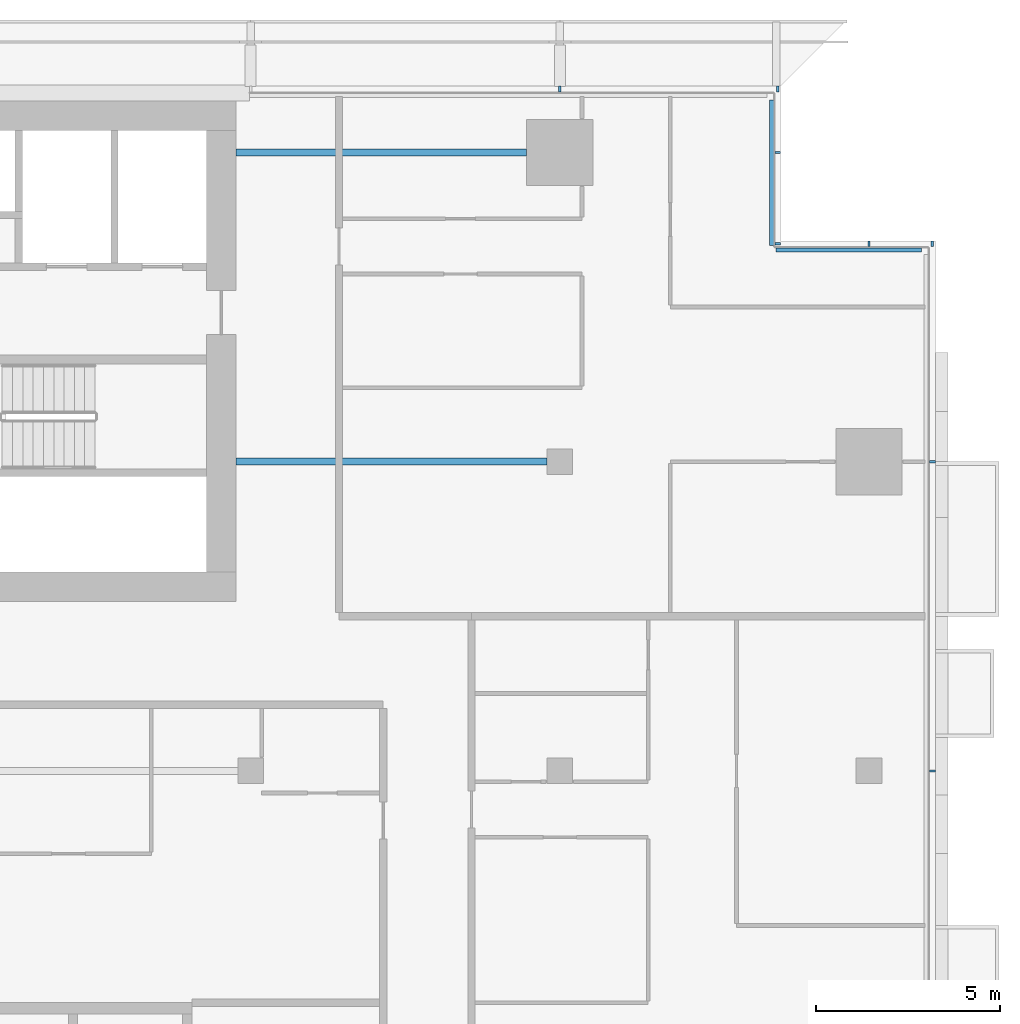
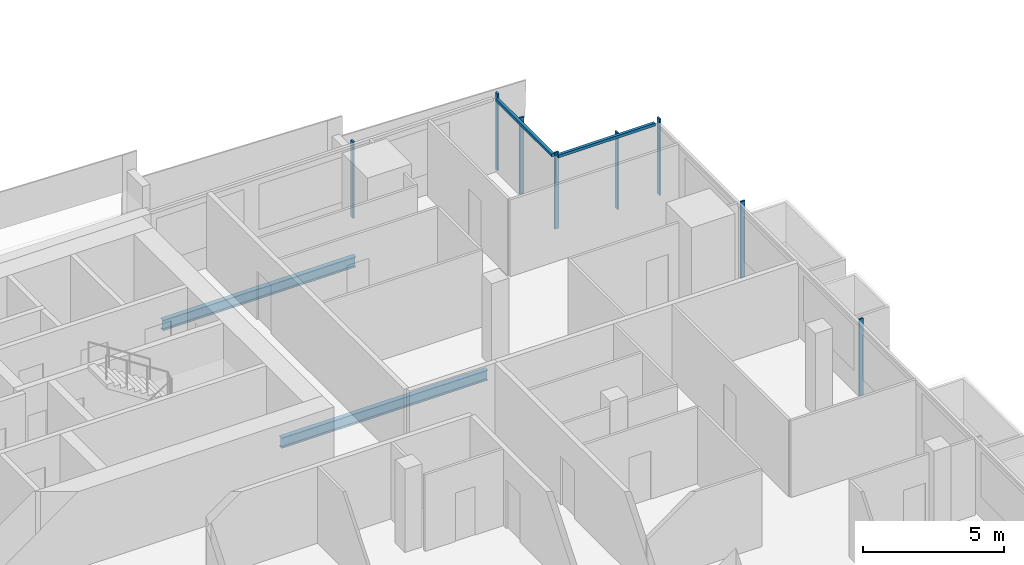
# One storey, part 13 of 31: 10 members, 2 beams, 4 elements without a shape of their own.
"""IFC4 building model written with IfcOpenShell, lengths in metres."""

from ifc_helpers import new_model, si_unit, direction, frame, origin, origin_2d, place, context, subcontext, project, spatial, rectangle, i_section, extrude, material, material_profile, profile_set, type_object, element, aggregate, save


model = new_model("IFC4")

# Units and contexts
model_context = context("Model", 3, precision=1e-05, world=origin(), true_north=direction((0.0, 1.0)))
body_context = subcontext(model_context, "Body", "Model", "MODEL_VIEW")
ifc_project = project(units=[si_unit("LENGTHUNIT", "METRE"), si_unit("AREAUNIT", "SQUARE_METRE"), si_unit("VOLUMEUNIT", "CUBIC_METRE"), si_unit("PLANEANGLEUNIT", "RADIAN"), si_unit("MASSUNIT", "GRAM", prefix="KILO")], contexts=[model_context])

# Site, building, storey
site_placement = place(None, origin())
site = spatial("IfcSite", under=ifc_project, at=site_placement, CompositionType="ELEMENT")
building_placement = place(site_placement, origin())
building = spatial("IfcBuilding", under=site, at=building_placement, Name="Saffron Gate Tower", CompositionType="ELEMENT")
storey_placement = place(building_placement, frame((0.0, 0.0, 147.449951171875)))
storey = spatial("IfcBuildingStorey", under=building, at=storey_placement, Name="L35", CompositionType="ELEMENT", Elevation=147.449951171875)

# Beams
ifc_material_1 = material(Name="Structural steel S355", Category="steel")
ifc_material_profile_1 = material_profile(ifc_material_1, i_section(OverallWidth=0.18994140625, OverallDepth=0.449951171875, WebThickness=0.009521484375, FlangeThickness=0.0146484375, FilletRadius=0.02099609375, at=origin_2d()))
ifc_profile_set_1 = profile_set([ifc_material_profile_1], Name="Structural steel S355")
beam_type = type_object("IfcBeamType", Name="B6 IPE 450", PredefinedType="BEAM", material=ifc_profile_set_1)
beam_1_placement = place(storey_placement, frame((116.64990234375, 65.39990234375, -0.5048828125), z_axis=(-1.0, 0.0, 0.0), x_axis=(0.0, -1.0, 0.0)))
element("IfcBeam", 1, at=beam_1_placement, inside=storey, type_object=beam_type, Name="B6 CORE TIE BEAM", PredefinedType="BEAM", context=body_context, shape_type="SweptSolid", body=[
    extrude(i_section(OverallWidth=0.18994140625, OverallDepth=0.449951171875, WebThickness=0.009521484375, FlangeThickness=0.0146484375, FilletRadius=0.02099609375, at=origin_2d()), origin(), (0.0, 0.0, 1.0), 8.449951171875),
])
beam_2_placement = place(storey_placement, frame((116.10009765625, 73.800048828125, -0.5048828125), z_axis=(-1.0, 0.0, 0.0), x_axis=(0.0, -1.0, 0.0)))
element("IfcBeam", 2, at=beam_2_placement, inside=storey, type_object=beam_type, Name="B6 CORE TIE BEAM", PredefinedType="BEAM", context=body_context, shape_type="SweptSolid", body=[
    extrude(i_section(OverallWidth=0.18994140625, OverallDepth=0.449951171875, WebThickness=0.009521484375, FlangeThickness=0.0146484375, FilletRadius=0.02099609375, at=origin_2d()), origin(), (0.0, 0.0, 1.0), 7.900146484375),
])

# Curtain wall, members
ifc_material_2 = material(Name="Aluminium, bronze anodised", Category="aluminium")
curtain_wall_type_1 = type_object("IfcCurtainWallType", Name="CWS2 curtain wall side facades", PredefinedType="NOTDEFINED", material=ifc_material_2)
curtain_wall_1_placement = place(storey_placement, origin())
curtain_wall_1 = element("IfcCurtainWall", 3, at=curtain_wall_1_placement, inside=storey, type_object=curtain_wall_type_1, Name="CWS2 run 4", PredefinedType="NOTDEFINED")
ifc_material_profile_2 = material_profile(ifc_material_2, rectangle(XDim=0.159912109375, YDim=0.06005859375, at=origin_2d()))
ifc_profile_set_2 = profile_set([ifc_material_profile_2], Name="Aluminium, bronze anodised")
member_type_1 = type_object("IfcMemberType", Name="CWS2 mullion 60x160", PredefinedType="MULLION", material=ifc_profile_set_2)
member_1_placement = place(storey_placement, frame((127.1201171875, 57.0, 0.0), z_axis=(0.0, 0.0, 1.0), x_axis=(-1.0, 0.0, 0.0)))
member_1 = element("IfcMember", 4, at=member_1_placement, type_object=member_type_1, Name="CWS2 mullion 4", PredefinedType="MULLION", context=body_context, shape_type="SweptSolid", body=[
    extrude(rectangle(XDim=0.159912109375, YDim=0.06005859375, at=origin_2d()), origin(), (0.0, 0.0, 1.0), 3.320068359375),
])
member_2_placement = place(storey_placement, frame((127.1201171875, 65.39990234375, 0.0), z_axis=(0.0, 0.0, 1.0), x_axis=(-1.0, 0.0, 0.0)))
member_2 = element("IfcMember", 5, at=member_2_placement, type_object=member_type_1, Name="CWS2 mullion 5", PredefinedType="MULLION", context=body_context, shape_type="SweptSolid", body=[
    extrude(rectangle(XDim=0.159912109375, YDim=0.06005859375, at=origin_2d()), origin(), (0.0, 0.0, 1.0), 3.320068359375),
])
aggregate(curtain_wall_1, [member_1, member_2])

curtain_wall_type_2 = type_object("IfcCurtainWallType", Name="CWS3 curtain wall rear facade", PredefinedType="NOTDEFINED", material=ifc_material_2)
curtain_wall_2_placement = place(storey_placement, origin())
curtain_wall_2 = element("IfcCurtainWall", 6, at=curtain_wall_2_placement, inside=storey, type_object=curtain_wall_type_2, Name="CWS3 run 7", PredefinedType="NOTDEFINED")
ifc_material_profile_3 = material_profile(ifc_material_2, rectangle(XDim=0.159912109375, YDim=0.070068359375, at=origin_2d()))
ifc_profile_set_3 = profile_set([ifc_material_profile_3], Name="Aluminium, bronze anodised")
member_type_2 = type_object("IfcMemberType", Name="CWS3 mullion 70x160", PredefinedType="MULLION", material=ifc_profile_set_3)
member_3_placement = place(storey_placement, frame((122.919921875, 75.52001953125, 0.0), z_axis=(0.0, 0.0, 1.0), x_axis=(0.0, -1.0, 0.0)))
member_3 = element("IfcMember", 7, at=member_3_placement, type_object=member_type_2, Name="CWS3 mullion 1", PredefinedType="MULLION", context=body_context, shape_type="SweptSolid", body=[
    extrude(rectangle(XDim=0.159912109375, YDim=0.070068359375, at=origin_2d()), origin(), (0.0, 0.0, 1.0), 3.320068359375),
])
member_4_placement = place(storey_placement, frame((117.0, 75.52001953125, 0.0), z_axis=(0.0, 0.0, 1.0), x_axis=(0.0, -1.0, 0.0)))
member_4 = element("IfcMember", 8, at=member_4_placement, type_object=member_type_2, Name="CWS3 mullion 2", PredefinedType="MULLION", context=body_context, shape_type="SweptSolid", body=[
    extrude(rectangle(XDim=0.159912109375, YDim=0.070068359375, at=origin_2d()), origin(), (0.0, 0.0, 1.0), 3.320068359375),
])
aggregate(curtain_wall_2, [member_3, member_4])

# Curtain wall, member
curtain_wall_type_3 = type_object("IfcCurtainWallType", Name="CWS4 curtain wall corner returns", PredefinedType="NOTDEFINED", material=ifc_material_2)
curtain_wall_3_placement = place(storey_placement, origin())
curtain_wall_3 = element("IfcCurtainWall", 9, at=curtain_wall_3_placement, inside=storey, type_object=curtain_wall_type_3, Name="CWS4 run 5", PredefinedType="NOTDEFINED")
ifc_material_profile_4 = material_profile(ifc_material_2, rectangle(XDim=0.1201171875, YDim=0.1201171875, at=origin_2d()))
ifc_profile_set_4 = profile_set([ifc_material_profile_4], Name="Aluminium, bronze anodised")
member_type_3 = type_object("IfcMemberType", Name="CWS4 head transom", PredefinedType="USERDEFINED", material=ifc_profile_set_4)
member_5_placement = place(storey_placement, frame((126.83203125, 71.152099609375, 3.260009765625), z_axis=(-1.0, 0.0, 0.0), x_axis=(0.0, -1.0, 0.0)))
member_5 = element("IfcMember", 10, at=member_5_placement, type_object=member_type_3, Name="CWS4 head transom", ObjectType="TRANSOM", PredefinedType="USERDEFINED", context=body_context, shape_type="SweptSolid", body=[
    extrude(rectangle(XDim=0.1201171875, YDim=0.1201171875, at=origin_2d()), origin(), (0.0, 0.0, 1.0), 3.9599609375),
])

curtain_wall_4_placement = place(storey_placement, origin())
curtain_wall_4 = element("IfcCurtainWall", 11, at=curtain_wall_4_placement, inside=storey, type_object=curtain_wall_type_3, Name="CWS4 run 6", PredefinedType="NOTDEFINED")
member_6_placement = place(storey_placement, frame((122.751953125, 71.27197265625, 3.260009765625), z_axis=(0.0, 1.0, 0.0), x_axis=(-1.0, 0.0, 0.0)))
member_6 = element("IfcMember", 12, at=member_6_placement, type_object=member_type_3, Name="CWS4 head transom", ObjectType="TRANSOM", PredefinedType="USERDEFINED", context=body_context, shape_type="SweptSolid", body=[
    extrude(rectangle(XDim=0.1201171875, YDim=0.1201171875, at=origin_2d()), origin(), (0.0, 0.0, 1.0), 3.9599609375),
])

# Member
ifc_material_profile_5 = material_profile(ifc_material_2, rectangle(XDim=0.159912109375, YDim=0.06005859375, at=origin_2d()))
ifc_profile_set_5 = profile_set([ifc_material_profile_5], Name="Aluminium, bronze anodised")
member_type_4 = type_object("IfcMemberType", Name="CWS4 mullion 60x160", PredefinedType="MULLION", material=ifc_profile_set_5)
member_7_placement = place(storey_placement, frame((127.1201171875, 71.320068359375, 0.0), z_axis=(0.0, 0.0, 1.0), x_axis=(0.0, -1.0, 0.0)))
member_7 = element("IfcMember", 13, at=member_7_placement, type_object=member_type_4, Name="CWS4 mullion 1", PredefinedType="MULLION", context=body_context, shape_type="SweptSolid", body=[
    extrude(rectangle(XDim=0.159912109375, YDim=0.06005859375, at=origin_2d()), origin(), (0.0, 0.0, 1.0), 3.320068359375),
])

member_8_placement = place(storey_placement, frame((125.39990234375, 71.320068359375, 0.0), z_axis=(0.0, 0.0, 1.0), x_axis=(0.0, -1.0, 0.0)))
member_8 = element("IfcMember", 14, at=member_8_placement, type_object=member_type_4, Name="CWS4 mullion 2", PredefinedType="MULLION", context=body_context, shape_type="SweptSolid", body=[
    extrude(rectangle(XDim=0.159912109375, YDim=0.06005859375, at=origin_2d()), origin(), (0.0, 0.0, 1.0), 3.320068359375),
])

aggregate(curtain_wall_3, [member_7, member_8, member_5])

member_9_placement = place(storey_placement, frame((122.919921875, 71.320068359375, 0.0), z_axis=(0.0, 0.0, 1.0), x_axis=(-1.0, 0.0, 0.0)))
member_9 = element("IfcMember", 15, at=member_9_placement, type_object=member_type_4, Name="CWS4 mullion 1", PredefinedType="MULLION", context=body_context, shape_type="SweptSolid", body=[
    extrude(rectangle(XDim=0.159912109375, YDim=0.06005859375, at=origin_2d()), origin(), (0.0, 0.0, 1.0), 3.320068359375),
])

member_10_placement = place(storey_placement, frame((122.919921875, 73.800048828125, 0.0), z_axis=(0.0, 0.0, 1.0), x_axis=(-1.0, 0.0, 0.0)))
member_10 = element("IfcMember", 16, at=member_10_placement, type_object=member_type_4, Name="CWS4 mullion 2", PredefinedType="MULLION", context=body_context, shape_type="SweptSolid", body=[
    extrude(rectangle(XDim=0.159912109375, YDim=0.06005859375, at=origin_2d()), origin(), (0.0, 0.0, 1.0), 3.320068359375),
])

aggregate(curtain_wall_4, [member_9, member_10, member_6])

save(model, "model.ifc")
